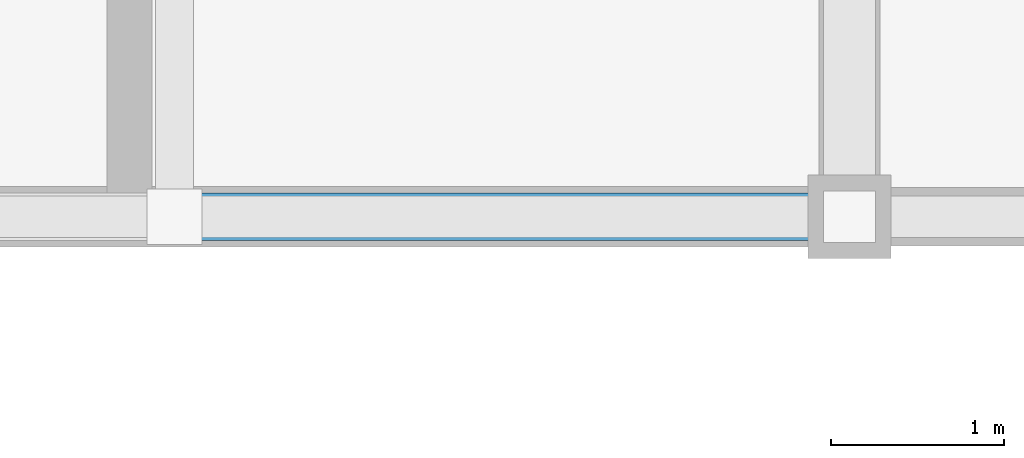
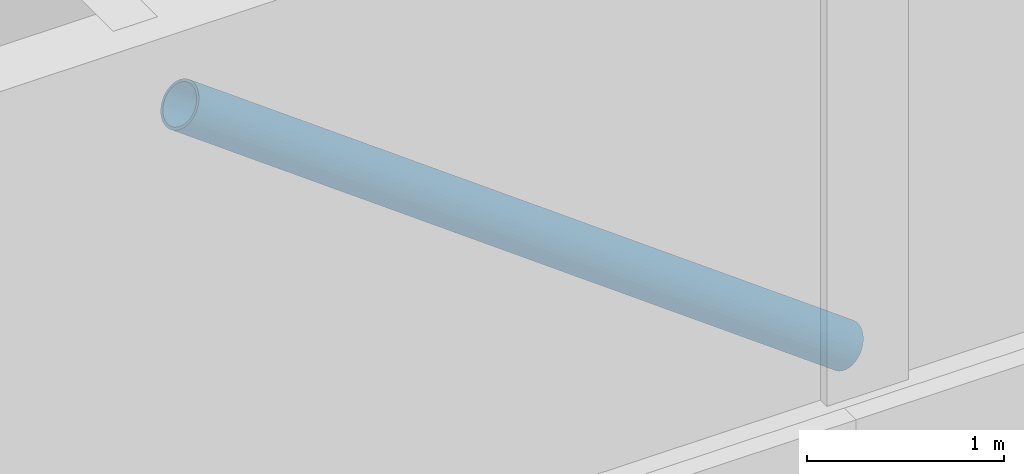
# One storey, part 17 of 51: 1 member.
"""IFC4 building model written with IfcOpenShell, lengths in metres."""

from ifc_helpers import new_model, si_unit, direction, frame, origin, origin_2d, place, context, subcontext, project, spatial, hollow_circle, extrude, material, material_profile, profile_set, type_object, element, save


model = new_model("IFC4")

# Units and contexts
model_context = context("Model", 3, precision=1e-05, world=origin(), true_north=direction((0.0, 1.0)))
body_context = subcontext(model_context, "Body", "Model", "MODEL_VIEW")
ifc_project = project(units=[si_unit("LENGTHUNIT", "METRE"), si_unit("AREAUNIT", "SQUARE_METRE"), si_unit("VOLUMEUNIT", "CUBIC_METRE"), si_unit("PLANEANGLEUNIT", "RADIAN"), si_unit("MASSUNIT", "GRAM", prefix="KILO")], contexts=[model_context])

# Site, building, storey
site_placement = place(None, origin())
site = spatial("IfcSite", under=ifc_project, at=site_placement, CompositionType="ELEMENT")
building_placement = place(site_placement, origin())
building = spatial("IfcBuilding", under=site, at=building_placement, Name="Vharandega Faculty of Natural Sciences", CompositionType="ELEMENT")
storey_placement = place(building_placement, frame((0.0, 0.0, 18.0)))
storey = spatial("IfcBuildingStorey", under=building, at=storey_placement, Name="L04", CompositionType="ELEMENT", Elevation=18.0)

# Member
ifc_material = material(Name="Steel S355", Category="steel")
ifc_material_profile = material_profile(ifc_material, hollow_circle(Radius=0.136474609375, WallThickness=0.01611328125, at=origin_2d()), Name="CHS 273x16")
ifc_profile_set = profile_set([ifc_material_profile], Name="Steel S355")
member_type = type_object("IfcMemberType", Name="Perimeter Chevron Brace CHS 273", PredefinedType="BRACE", material=ifc_profile_set)
member_placement = place(storey_placement, frame((122.60009765625, 64.0, 0.14990234375), z_axis=(-0.806404995856, 0.0, 0.591363663628), x_axis=(0.0, -1.0, 0.0)))
element("IfcMember", 1, at=member_placement, inside=storey, type_object=member_type, Name="Chevron Brace J L04-2", PredefinedType="BRACE", context=body_context, shape_type="SweptSolid", body=[
    extrude(hollow_circle(Radius=0.136474609375, WallThickness=0.01611328125, at=origin_2d()), origin(), (0.0, 0.0, 1.0), 4.83642578125),
])

save(model, "model.ifc")
